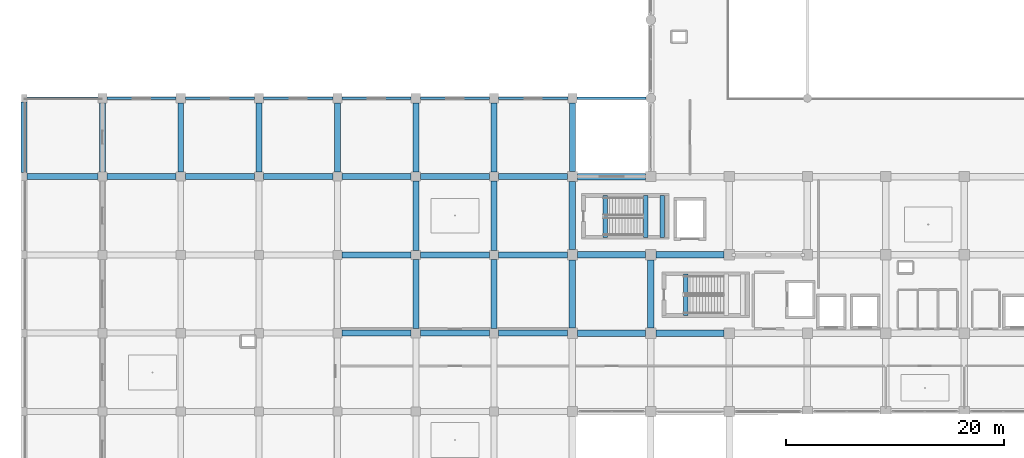
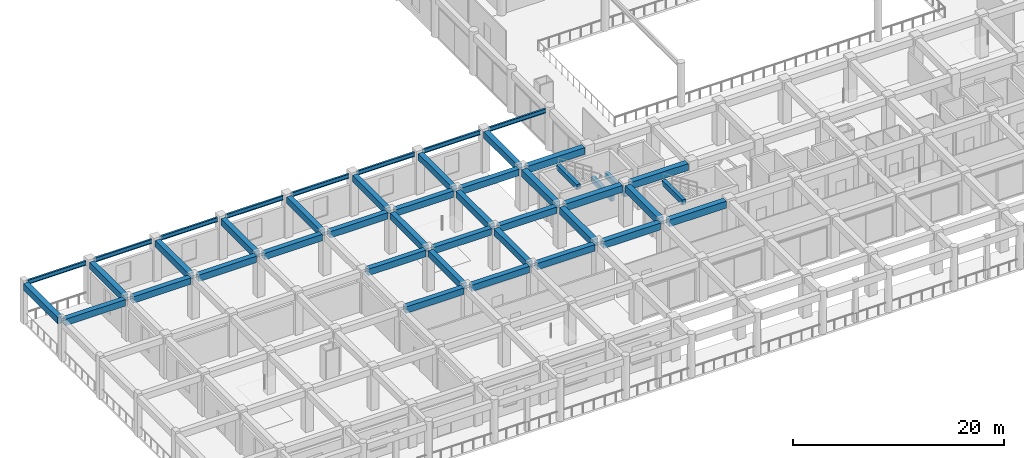
# One storey, part 6 of 54: 45 beams.
"""IFC4 building model written with IfcOpenShell, lengths in metres."""

from ifc_helpers import new_model, si_unit, direction, frame, origin, origin_2d, place, context, subcontext, project, spatial, rectangle, i_section, extrude, material, material_profile, profile_set, type_object, element, save


model = new_model("IFC4")

# Units and contexts
model_context = context("Model", 3, precision=1e-05, world=origin(), true_north=direction((0.0, 1.0)))
body_context = subcontext(model_context, "Body", "Model", "MODEL_VIEW")
ifc_project = project(units=[si_unit("LENGTHUNIT", "METRE"), si_unit("AREAUNIT", "SQUARE_METRE"), si_unit("VOLUMEUNIT", "CUBIC_METRE"), si_unit("PLANEANGLEUNIT", "RADIAN"), si_unit("MASSUNIT", "GRAM", prefix="KILO")], contexts=[model_context])

# Site, building, storey
site_placement = place(None, origin())
site = spatial("IfcSite", under=ifc_project, at=site_placement, CompositionType="ELEMENT")
building_placement = place(site_placement, origin())
building = spatial("IfcBuilding", under=site, at=building_placement, Name="Kazehaya Institute of Natural Sciences", CompositionType="ELEMENT")
storey_placement = place(building_placement, frame((0.0, 0.0, 5.39990234375)))
storey = spatial("IfcBuildingStorey", under=building, at=storey_placement, Name="L01", CompositionType="ELEMENT", Elevation=5.39990234375)

# Beams
ifc_material_1 = material(Name="Concrete Fc36", Category="concrete")
ifc_material_profile_1 = material_profile(ifc_material_1, rectangle(XDim=0.39990234375, YDim=0.60009765625, at=origin_2d()), Name="RC-400x600")
ifc_profile_set_1 = profile_set([ifc_material_profile_1], Name="Concrete Fc36")
beam_type_1 = type_object("IfcBeamType", Name="BM-B-400x600", PredefinedType="BEAM", material=ifc_profile_set_1)
beam_1_placement = place(storey_placement, frame((65.0, 22.820068359375, 4.739990234375), z_axis=(0.0, 1.0, 0.0), x_axis=(-1.0, 0.0, 0.0)))
element("IfcBeam", 1, at=beam_1_placement, inside=storey, type_object=beam_type_1, Name="L02 ST-1 stair header trimmer beam", PredefinedType="BEAM", context=body_context, shape_type="SweptSolid", body=[
    extrude(rectangle(XDim=0.39990234375, YDim=0.60009765625, at=origin_2d()), origin(), (0.0, 0.0, 1.0), 3.83984375),
])
for number, where, z_axis, x_axis, name in (
    (2, (57.60009765625, 30.02001953125, 4.739990234375), (0.0, 1.0, 0.0), (-1.0, 0.0, 0.0), "L02 ST-4 stair header trimmer beam"),
    (3, (61.35009765625, 30.02001953125, 2.06005859375), (0.0, 1.0, 0.0), (-1.0, 0.0, 0.0), "L01 ST-4 landing beam 1"),
    (4, (62.85009765625, 30.02001953125, 2.06005859375), (0.0, 1.0, 0.0), (-1.0, 0.0, 0.0), "L01 ST-4 landing beam 2"),
):
    element("IfcBeam", number, at=place(storey_placement, frame(where, z_axis=z_axis, x_axis=x_axis)), inside=storey, type_object=beam_type_1, Name=name, PredefinedType="BEAM", context=body_context, shape_type="SweptSolid", body=[
        extrude(rectangle(XDim=0.39990234375, YDim=0.60009765625, at=origin_2d()), origin(), (0.0, 0.0, 1.0), 3.840087890625),
    ])
ifc_material_profile_2 = material_profile(ifc_material_1, rectangle(XDim=0.550048828125, YDim=0.75, at=origin_2d()), Name="RC-550x750")
ifc_profile_set_2 = profile_set([ifc_material_profile_2], Name="Concrete Fc36")
beam_type_2 = type_object("IfcBeamType", Name="BM-G-550x750", PredefinedType="BEAM", material=ifc_profile_set_2)
beam_2_placement = place(storey_placement, frame((33.425048828125, 21.199951171875, 4.39501953125), z_axis=(1.0, 0.0, 0.0), x_axis=(0.0, 1.0, 0.0)))
element("IfcBeam", 5, at=beam_2_placement, inside=storey, type_object=beam_type_2, Name="L01 primary X girder BMX-L01-330-212", PredefinedType="BEAM", context=body_context, shape_type="SweptSolid", body=[
    extrude(rectangle(XDim=0.550048828125, YDim=0.75, at=origin_2d()), origin(), (0.0, 0.0, 1.0), 6.349853515625),
])
beam_3_placement = place(storey_placement, frame((40.625, 21.199951171875, 4.39501953125), z_axis=(1.0, 0.0, 0.0), x_axis=(0.0, 1.0, 0.0)))
element("IfcBeam", 6, at=beam_3_placement, inside=storey, type_object=beam_type_2, Name="L01 primary X girder BMX-L01-402-212", PredefinedType="BEAM", context=body_context, shape_type="SweptSolid", body=[
    extrude(rectangle(XDim=0.550048828125, YDim=0.75, at=origin_2d()), origin(), (0.0, 0.0, 1.0), 6.35009765625),
])
beam_4_placement = place(storey_placement, frame((47.824951171875, 21.199951171875, 4.39501953125), z_axis=(1.0, 0.0, 0.0), x_axis=(0.0, 1.0, 0.0)))
element("IfcBeam", 7, at=beam_4_placement, inside=storey, type_object=beam_type_2, Name="L01 primary X girder BMX-L01-474-212", PredefinedType="BEAM", context=body_context, shape_type="SweptSolid", body=[
    extrude(rectangle(XDim=0.550048828125, YDim=0.75, at=origin_2d()), origin(), (0.0, 0.0, 1.0), 6.300048828125),
])
beam_5_placement = place(storey_placement, frame((33.425048828125, 28.39990234375, 4.39501953125), z_axis=(1.0, 0.0, 0.0), x_axis=(0.0, 1.0, 0.0)))
element("IfcBeam", 8, at=beam_5_placement, inside=storey, type_object=beam_type_2, Name="L01 primary X girder BMX-L01-330-284", PredefinedType="BEAM", context=body_context, shape_type="SweptSolid", body=[
    extrude(rectangle(XDim=0.550048828125, YDim=0.75, at=origin_2d()), origin(), (0.0, 0.0, 1.0), 6.349853515625),
])
beam_6_placement = place(storey_placement, frame((40.625, 28.39990234375, 4.39501953125), z_axis=(1.0, 0.0, 0.0), x_axis=(0.0, 1.0, 0.0)))
element("IfcBeam", 9, at=beam_6_placement, inside=storey, type_object=beam_type_2, Name="L01 primary X girder BMX-L01-402-284", PredefinedType="BEAM", context=body_context, shape_type="SweptSolid", body=[
    extrude(rectangle(XDim=0.550048828125, YDim=0.75, at=origin_2d()), origin(), (0.0, 0.0, 1.0), 6.35009765625),
])
beam_7_placement = place(storey_placement, frame((47.824951171875, 28.39990234375, 4.39501953125), z_axis=(1.0, 0.0, 0.0), x_axis=(0.0, 1.0, 0.0)))
element("IfcBeam", 10, at=beam_7_placement, inside=storey, type_object=beam_type_2, Name="L01 primary X girder BMX-L01-474-284", PredefinedType="BEAM", context=body_context, shape_type="SweptSolid", body=[
    extrude(rectangle(XDim=0.550048828125, YDim=0.75, at=origin_2d()), origin(), (0.0, 0.0, 1.0), 6.300048828125),
])
beam_8_placement = place(storey_placement, frame((4.449951171875, 35.60009765625, 4.39501953125), z_axis=(1.0, 0.0, 0.0), x_axis=(0.0, 1.0, 0.0)))
element("IfcBeam", 11, at=beam_8_placement, inside=storey, type_object=beam_type_2, Name="L01 primary X girder BMX-L01-42-356", PredefinedType="BEAM", context=body_context, shape_type="SweptSolid", body=[
    extrude(rectangle(XDim=0.550048828125, YDim=0.75, at=origin_2d()), origin(), (0.0, 0.0, 1.0), 6.525146484375),
])
for number, where, z_axis, x_axis, name in (
    (12, (11.824951171875, 35.60009765625, 4.39501953125), (1.0, 0.0, 0.0), (0.0, 1.0, 0.0), "L01 primary X girder BMX-L01-114-356"),
    (13, (19.02490234375, 35.60009765625, 4.39501953125), (1.0, 0.0, 0.0), (0.0, 1.0, 0.0), "L01 primary X girder BMX-L01-186-356"),
):
    element("IfcBeam", number, at=place(storey_placement, frame(where, z_axis=z_axis, x_axis=x_axis)), inside=storey, type_object=beam_type_2, Name=name, PredefinedType="BEAM", context=body_context, shape_type="SweptSolid", body=[
        extrude(rectangle(XDim=0.550048828125, YDim=0.75, at=origin_2d()), origin(), (0.0, 0.0, 1.0), 6.35009765625),
    ])
for number, where, z_axis, x_axis, name in (
    (14, (26.22509765625, 35.60009765625, 4.39501953125), (1.0, 0.0, 0.0), (0.0, 1.0, 0.0), "L01 primary X girder BMX-L01-258-356"),
    (15, (33.425048828125, 35.60009765625, 4.39501953125), (1.0, 0.0, 0.0), (0.0, 1.0, 0.0), "L01 primary X girder BMX-L01-330-356"),
):
    element("IfcBeam", number, at=place(storey_placement, frame(where, z_axis=z_axis, x_axis=x_axis)), inside=storey, type_object=beam_type_2, Name=name, PredefinedType="BEAM", context=body_context, shape_type="SweptSolid", body=[
        extrude(rectangle(XDim=0.550048828125, YDim=0.75, at=origin_2d()), origin(), (0.0, 0.0, 1.0), 6.349853515625),
    ])
beam_9_placement = place(storey_placement, frame((40.625, 35.60009765625, 4.39501953125), z_axis=(1.0, 0.0, 0.0), x_axis=(0.0, 1.0, 0.0)))
element("IfcBeam", 16, at=beam_9_placement, inside=storey, type_object=beam_type_2, Name="L01 primary X girder BMX-L01-402-356", PredefinedType="BEAM", context=body_context, shape_type="SweptSolid", body=[
    extrude(rectangle(XDim=0.550048828125, YDim=0.75, at=origin_2d()), origin(), (0.0, 0.0, 1.0), 6.35009765625),
])
beam_10_placement = place(storey_placement, frame((47.824951171875, 35.60009765625, 4.39501953125), z_axis=(1.0, 0.0, 0.0), x_axis=(0.0, 1.0, 0.0)))
element("IfcBeam", 17, at=beam_10_placement, inside=storey, type_object=beam_type_2, Name="L01 primary X girder BMX-L01-474-356", PredefinedType="BEAM", context=body_context, shape_type="SweptSolid", body=[
    extrude(rectangle(XDim=0.550048828125, YDim=0.75, at=origin_2d()), origin(), (0.0, 0.0, 1.0), 6.300048828125),
])
beam_11_placement = place(storey_placement, frame((4.199951171875, 35.949951171875, 4.39501953125), z_axis=(0.0, 1.0, 0.0), x_axis=(-1.0, 0.0, 0.0)))
element("IfcBeam", 18, at=beam_11_placement, inside=storey, type_object=beam_type_2, Name="L01 primary Y girder BMY-L01-42-356", PredefinedType="BEAM", context=body_context, shape_type="SweptSolid", body=[
    extrude(rectangle(XDim=0.550048828125, YDim=0.75, at=origin_2d()), origin(), (0.0, 0.0, 1.0), 6.5),
])
for number, where, z_axis, x_axis, name in (
    (19, (11.39990234375, 36.02490234375, 4.39501953125), (0.0, 1.0, 0.0), (-1.0, 0.0, 0.0), "L01 primary Y girder BMY-L01-114-356"),
    (20, (18.60009765625, 36.02490234375, 4.39501953125), (0.0, 1.0, 0.0), (-1.0, 0.0, 0.0), "L01 primary Y girder BMY-L01-186-356"),
    (21, (25.800048828125, 36.02490234375, 4.39501953125), (0.0, 1.0, 0.0), (-1.0, 0.0, 0.0), "L01 primary Y girder BMY-L01-258-356"),
    (22, (33.0, 36.02490234375, 4.39501953125), (0.0, 1.0, 0.0), (-1.0, 0.0, 0.0), "L01 primary Y girder BMY-L01-330-356"),
    (23, (40.199951171875, 21.625, 4.39501953125), (0.0, 1.0, 0.0), (-1.0, 0.0, 0.0), "L01 primary Y girder BMY-L01-402-212"),
    (24, (40.199951171875, 28.824951171875, 4.39501953125), (0.0, 1.0, 0.0), (-1.0, 0.0, 0.0), "L01 primary Y girder BMY-L01-402-284"),
    (25, (40.199951171875, 36.02490234375, 4.39501953125), (0.0, 1.0, 0.0), (-1.0, 0.0, 0.0), "L01 primary Y girder BMY-L01-402-356"),
    (26, (47.39990234375, 21.625, 4.39501953125), (0.0, 1.0, 0.0), (-1.0, 0.0, 0.0), "L01 primary Y girder BMY-L01-474-212"),
    (27, (47.39990234375, 28.824951171875, 4.39501953125), (0.0, 1.0, 0.0), (-1.0, 0.0, 0.0), "L01 primary Y girder BMY-L01-474-284"),
    (28, (47.39990234375, 36.02490234375, 4.39501953125), (0.0, 1.0, 0.0), (-1.0, 0.0, 0.0), "L01 primary Y girder BMY-L01-474-356"),
):
    element("IfcBeam", number, at=place(storey_placement, frame(where, z_axis=z_axis, x_axis=x_axis)), inside=storey, type_object=beam_type_2, Name=name, PredefinedType="BEAM", context=body_context, shape_type="SweptSolid", body=[
        extrude(rectangle(XDim=0.550048828125, YDim=0.75, at=origin_2d()), origin(), (0.0, 0.0, 1.0), 6.35009765625),
    ])
beam_12_placement = place(storey_placement, frame((54.60009765625, 36.074951171875, 4.39501953125), z_axis=(0.0, 1.0, 0.0), x_axis=(-1.0, 0.0, 0.0)))
element("IfcBeam", 29, at=beam_12_placement, inside=storey, type_object=beam_type_2, Name="L01 primary Y girder BMY-L01-546-356", PredefinedType="BEAM", context=body_context, shape_type="SweptSolid", body=[
    extrude(rectangle(XDim=0.550048828125, YDim=0.75, at=origin_2d()), origin(), (0.0, 0.0, 1.0), 6.300048828125),
])
ifc_material_profile_3 = material_profile(ifc_material_1, rectangle(XDim=0.60009765625, YDim=0.800048828125, at=origin_2d()), Name="RC-600x800")
ifc_profile_set_3 = profile_set([ifc_material_profile_3], Name="Concrete Fc36")
beam_type_3 = type_object("IfcBeamType", Name="BM-G-600x800", PredefinedType="BEAM", material=ifc_profile_set_3)
for number, where, z_axis, x_axis, name in (
    (30, (55.074951171875, 21.199951171875, 4.3701171875), (1.0, 0.0, 0.0), (0.0, 1.0, 0.0), "L01 primary X girder BMX-L01-546-212"),
    (31, (62.27490234375, 21.199951171875, 4.3701171875), (1.0, 0.0, 0.0), (0.0, 1.0, 0.0), "L01 primary X girder BMX-L01-618-212"),
    (32, (55.074951171875, 28.39990234375, 4.3701171875), (1.0, 0.0, 0.0), (0.0, 1.0, 0.0), "L01 primary X girder BMX-L01-546-284"),
    (33, (62.27490234375, 28.39990234375, 4.3701171875), (1.0, 0.0, 0.0), (0.0, 1.0, 0.0), "L01 primary X girder BMX-L01-618-284"),
    (34, (55.074951171875, 35.60009765625, 4.3701171875), (1.0, 0.0, 0.0), (0.0, 1.0, 0.0), "L01 primary X girder BMX-L01-546-356"),
    (35, (54.60009765625, 21.675048828125, 4.3701171875), (0.0, 1.0, 0.0), (-1.0, 0.0, 0.0), "L01 primary Y girder BMY-L01-546-212"),
    (36, (54.60009765625, 28.875, 4.3701171875), (0.0, 1.0, 0.0), (-1.0, 0.0, 0.0), "L01 primary Y girder BMY-L01-546-284"),
    (37, (61.800048828125, 21.675048828125, 4.3701171875), (0.0, 1.0, 0.0), (-1.0, 0.0, 0.0), "L01 primary Y girder BMY-L01-618-212"),
):
    element("IfcBeam", number, at=place(storey_placement, frame(where, z_axis=z_axis, x_axis=x_axis)), inside=storey, type_object=beam_type_3, Name=name, PredefinedType="BEAM", context=body_context, shape_type="SweptSolid", body=[
        extrude(rectangle(XDim=0.60009765625, YDim=0.800048828125, at=origin_2d()), origin(), (0.0, 0.0, 1.0), 6.25),
    ])
ifc_material_2 = material(Name="Structural steel SN490B", Category="steel")
ifc_material_profile_4 = material_profile(ifc_material_2, i_section(OverallWidth=0.199951171875, OverallDepth=0.5, WebThickness=0.010009765625, FlangeThickness=0.01611328125, FilletRadius=0.01611328125, at=origin_2d()), Name="H-500x200x10x16")
ifc_profile_set_4 = profile_set([ifc_material_profile_4], Name="Structural steel SN490B")
beam_type_4 = type_object("IfcBeamType", Name="BM-STL-H500", PredefinedType="BEAM", material=ifc_profile_set_4)
beam_13_placement = place(storey_placement, frame((4.449951171875, 42.800048828125, 4.52001953125), z_axis=(1.0, 0.0, 0.0), x_axis=(0.0, 1.0, 0.0)))
element("IfcBeam", 38, at=beam_13_placement, inside=storey, type_object=beam_type_4, Name="L01 primary X girder BMX-L01-42-428", PredefinedType="BEAM", context=body_context, shape_type="SweptSolid", body=[
    extrude(i_section(OverallWidth=0.199951171875, OverallDepth=0.5, WebThickness=0.010009765625, FlangeThickness=0.01611328125, FilletRadius=0.01611328125, at=origin_2d()), origin(), (0.0, 0.0, 1.0), 6.525146484375),
])
for number, where, z_axis, x_axis, name in (
    (39, (11.824951171875, 42.800048828125, 4.52001953125), (1.0, 0.0, 0.0), (0.0, 1.0, 0.0), "L01 primary X girder BMX-L01-114-428"),
    (40, (19.02490234375, 42.800048828125, 4.52001953125), (1.0, 0.0, 0.0), (0.0, 1.0, 0.0), "L01 primary X girder BMX-L01-186-428"),
):
    element("IfcBeam", number, at=place(storey_placement, frame(where, z_axis=z_axis, x_axis=x_axis)), inside=storey, type_object=beam_type_4, Name=name, PredefinedType="BEAM", context=body_context, shape_type="SweptSolid", body=[
        extrude(i_section(OverallWidth=0.199951171875, OverallDepth=0.5, WebThickness=0.010009765625, FlangeThickness=0.01611328125, FilletRadius=0.01611328125, at=origin_2d()), origin(), (0.0, 0.0, 1.0), 6.35009765625),
    ])
for number, where, z_axis, x_axis, name in (
    (41, (26.22509765625, 42.800048828125, 4.52001953125), (1.0, 0.0, 0.0), (0.0, 1.0, 0.0), "L01 primary X girder BMX-L01-258-428"),
    (42, (33.425048828125, 42.800048828125, 4.52001953125), (1.0, 0.0, 0.0), (0.0, 1.0, 0.0), "L01 primary X girder BMX-L01-330-428"),
):
    element("IfcBeam", number, at=place(storey_placement, frame(where, z_axis=z_axis, x_axis=x_axis)), inside=storey, type_object=beam_type_4, Name=name, PredefinedType="BEAM", context=body_context, shape_type="SweptSolid", body=[
        extrude(i_section(OverallWidth=0.199951171875, OverallDepth=0.5, WebThickness=0.010009765625, FlangeThickness=0.01611328125, FilletRadius=0.01611328125, at=origin_2d()), origin(), (0.0, 0.0, 1.0), 6.349853515625),
    ])
for number, where, z_axis, x_axis, name in (
    (43, (40.625, 42.800048828125, 4.52001953125), (1.0, 0.0, 0.0), (0.0, 1.0, 0.0), "L01 primary X girder BMX-L01-402-428"),
    (44, (47.824951171875, 42.800048828125, 4.52001953125), (1.0, 0.0, 0.0), (0.0, 1.0, 0.0), "L01 primary X girder BMX-L01-474-428"),
):
    element("IfcBeam", number, at=place(storey_placement, frame(where, z_axis=z_axis, x_axis=x_axis)), inside=storey, type_object=beam_type_4, Name=name, PredefinedType="BEAM", context=body_context, shape_type="SweptSolid", body=[
        extrude(i_section(OverallWidth=0.199951171875, OverallDepth=0.5, WebThickness=0.010009765625, FlangeThickness=0.01611328125, FilletRadius=0.01611328125, at=origin_2d()), origin(), (0.0, 0.0, 1.0), 6.35009765625),
    ])
beam_14_placement = place(storey_placement, frame((55.02490234375, 42.800048828125, 4.52001953125), z_axis=(1.0, 0.0, 0.0), x_axis=(0.0, 1.0, 0.0)))
element("IfcBeam", 45, at=beam_14_placement, inside=storey, type_object=beam_type_4, Name="L01 primary X girder BMX-L01-546-428", PredefinedType="BEAM", context=body_context, shape_type="SweptSolid", body=[
    extrude(i_section(OverallWidth=0.199951171875, OverallDepth=0.5, WebThickness=0.010009765625, FlangeThickness=0.01611328125, FilletRadius=0.01611328125, at=origin_2d()), origin(), (0.0, 0.0, 1.0), 6.3251953125),
])

save(model, "model.ifc")
